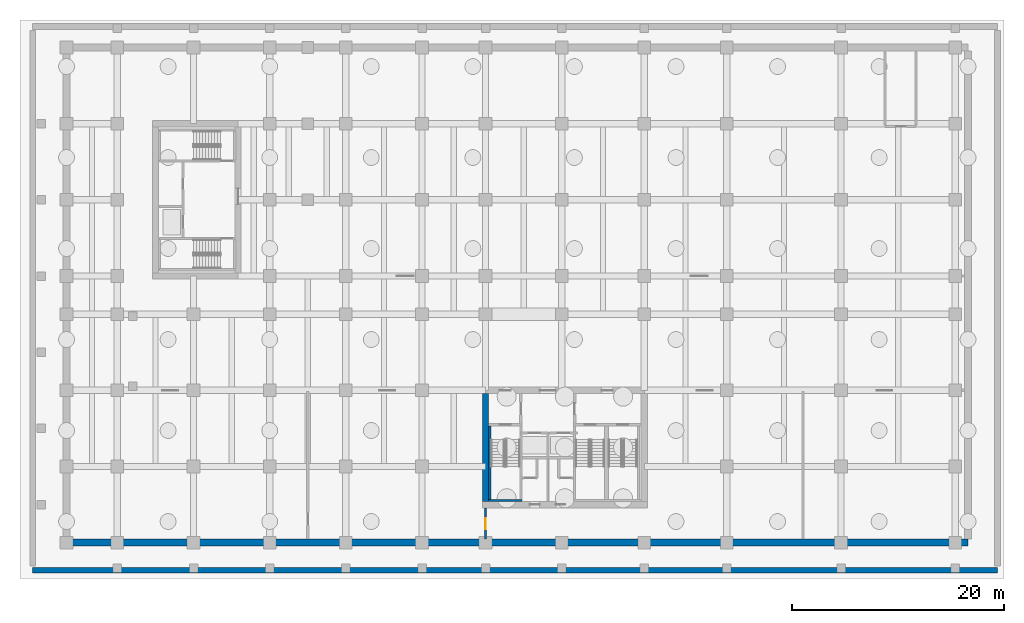
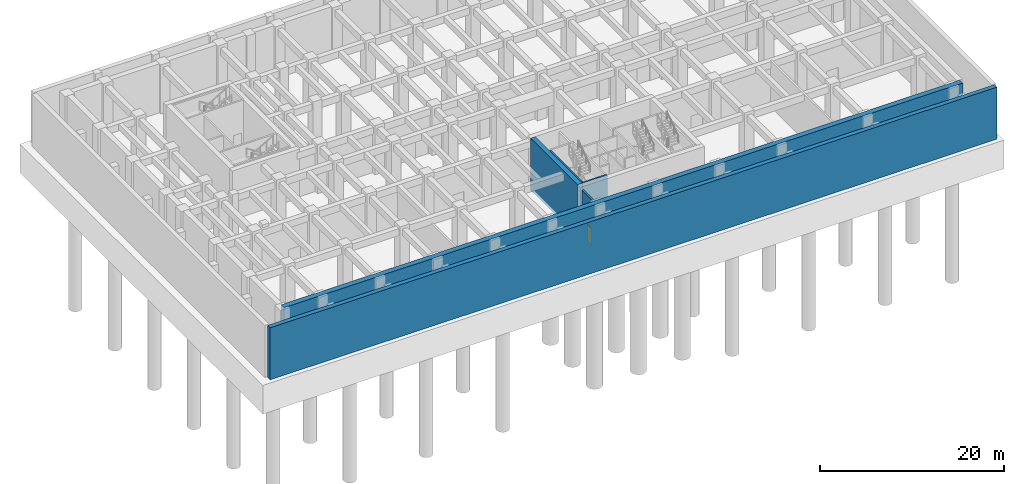
# One storey, part 5 of 13: 6 walls, 1 door, 1 opening.
"""IFC4 building model written with IfcOpenShell, lengths in metres."""

from ifc_helpers import new_model, si_unit, derived_unit, direction, frame, frame_2d, origin, place, context, subcontext, project, spatial, rectangle, extrude, source, transform, mapped, material, layer, layer_set, type_object, type_shapes, element, fill, save


model = new_model("IFC4")

# Units and contexts
model_context = context("Model", 3, precision=1e-05, world=origin(), true_north=direction((0.0, 1.0)))
body_context = subcontext(model_context, "Body", "Model", "MODEL_VIEW")
ifc_project = project(units=[si_unit("LENGTHUNIT", "METRE"), si_unit("AREAUNIT", "SQUARE_METRE"), si_unit("VOLUMEUNIT", "CUBIC_METRE"), si_unit("PLANEANGLEUNIT", "RADIAN"), si_unit("MASSUNIT", "GRAM", prefix="KILO"), si_unit("THERMODYNAMICTEMPERATUREUNIT", "KELVIN"), si_unit("POWERUNIT", "WATT"), derived_unit("THERMALTRANSMITTANCEUNIT", [(si_unit("POWERUNIT", "WATT"), 1), (si_unit("AREAUNIT", "SQUARE_METRE"), -1), (si_unit("THERMODYNAMICTEMPERATUREUNIT", "KELVIN"), -1)])], contexts=[model_context])

# Site, building, storey
site_placement = place(None, origin())
site = spatial("IfcSite", under=ifc_project, at=site_placement, CompositionType="ELEMENT")
building_placement = place(site_placement, origin())
building = spatial("IfcBuilding", under=site, at=building_placement, Name="Zahravan Archway Hotel and Residences", CompositionType="ELEMENT")
storey_placement = place(building_placement, frame((0.0, 0.0, -13.0)))
storey = spatial("IfcBuildingStorey", under=building, at=storey_placement, Name="B02", CompositionType="ELEMENT", Elevation=-13.0)

# Walls
ifc_material_1 = material(Name="Concrete C50/60", Category="concrete")
ifc_layer_1 = layer(ifc_material_1, 0.550048828125, Name="Concrete C50/60", Category="concrete")
ifc_layer_set_1 = layer_set([ifc_layer_1], Name="Concrete C50/60")
wall_type_1 = type_object("IfcWallType", Name="BW-RET-550", PredefinedType="USERDEFINED", material=ifc_layer_set_1)
wall_1_placement = place(storey_placement, frame((-8.0, -2.60009765625, -0.39990234375), z_axis=(0.0, 0.0, 1.0), x_axis=(1.0, 0.0, 0.0)))
element("IfcWall", 1, at=wall_1_placement, inside=storey, type_object=wall_type_1, Name="B02 Forecourt Foundation Wall PS", ObjectType="RETAINING", PredefinedType="USERDEFINED", context=body_context, shape_type="SweptSolid", body=[
    extrude(rectangle(XDim=91.199951171875, YDim=0.550048828125, at=frame_2d((45.60009765625, 0.0))), origin(), (0.0, 0.0, 1.0), 6.89990234375),
])
ifc_layer_2 = layer(ifc_material_1, 0.64990234375, Name="Concrete C50/60", Category="concrete")
ifc_layer_set_2 = layer_set([ifc_layer_2], Name="Concrete C50/60")
wall_type_2 = type_object("IfcWallType", Name="BW-RET-650", PredefinedType="USERDEFINED", material=ifc_layer_set_2)
wall_2_placement = place(storey_placement, frame((-4.800048828125, 0.0, -0.39990234375), z_axis=(0.0, 0.0, 1.0), x_axis=(1.0, 0.0, 0.0)))
element("IfcWall", 2, at=wall_2_placement, inside=storey, type_object=wall_type_2, Name="B02 Basement Retaining S Wall", ObjectType="RETAINING", PredefinedType="USERDEFINED", context=body_context, shape_type="SweptSolid", body=[
    extrude(rectangle(XDim=85.199951171875, YDim=0.64990234375, at=frame_2d((42.60009765625, 0.0))), origin(), (0.0, 0.0, 1.0), 6.89990234375),
])
ifc_material_2 = material(Name="Concrete C70/85", Category="concrete")
ifc_layer_3 = layer(ifc_material_2, 0.60009765625, Name="Concrete C70/85", Category="concrete")
ifc_layer_set_3 = layer_set([ifc_layer_3], Name="Concrete C70/85")
wall_type_3 = type_object("IfcWallType", Name="CW-CORE-600", PredefinedType="SHEAR", material=ifc_layer_set_3)
wall_3_placement = place(storey_placement, frame((34.800048828125, 3.89990234375, -0.39990234375), z_axis=(0.0, 0.0, 1.0), x_axis=(0.0, 1.0, 0.0)))
element("IfcWall", 3, at=wall_3_placement, inside=storey, type_object=wall_type_3, Name="B02 Core A Shear W Wall 600 mm", PredefinedType="SHEAR", context=body_context, shape_type="SweptSolid", body=[
    extrude(rectangle(XDim=10.2001953125, YDim=0.60009765625, at=frame_2d((5.10009765625, 0.0))), origin(), (0.0, 0.0, 1.0), 6.89990234375),
])

# Wall, opening, door
ifc_material_3 = material(Name="Fire-Rated Gypsum & Concrete Block", Category="concrete")
ifc_layer_4 = layer(ifc_material_3, 0.219970703125, Name="Fire-Rated Gypsum & Concrete Block", Category="concrete")
ifc_layer_set_4 = layer_set([ifc_layer_4], Name="Fire-Rated Gypsum & Concrete Block")
wall_type_4 = type_object("IfcWallType", Name="PW-COMP-220", PredefinedType="PARTITIONING", material=ifc_layer_set_4)
wall_4_placement = place(storey_placement, frame((34.800048828125, 0.3701171875, 0.0), z_axis=(0.0, 0.0, 1.0), x_axis=(0.0, 1.0, 0.0)))
wall_4 = element("IfcWall", 4, at=wall_4_placement, inside=storey, type_object=wall_type_4, Name="B02 Partition B2-SPW", PredefinedType="PARTITIONING", context=body_context, shape_type="SweptSolid", body=[
    extrude(rectangle(XDim=2.909912109375, YDim=0.219970703125, at=frame_2d((1.455078125, 0.0))), origin(), (0.0, 0.0, 1.0), 6.10009765625),
])
opening_placement = place(wall_4_placement, frame((0.905029296875, 0.0, 0.0)))
opening = element("IfcOpeningElement", 5, at=opening_placement, cuts=wall_4, Name="Opening FD-L2", PredefinedType="OPENING", context=body_context, shape_type="SweptSolid", body=[
    extrude(rectangle(XDim=1.050048828125, YDim=2.14990234375, at=frame_2d((0.52490234375, 1.074951171875))), frame((0.0, 0.1201171875, 0.0), z_axis=(0.0, -1.0, 0.0), x_axis=(1.0, 0.0, 0.0)), (0.0, 0.0, 1.0), 0.239990234375),
])
ifc_material_4 = material(Name="Fire-Rated Painted Steel", Category="steel")
door_type = type_object("IfcDoorType", Name="FD-LOBBY-1100", OperationType="NOTDEFINED", PredefinedType="DOOR", material=ifc_material_4)
shared_shape = source(origin(), body_context, "Body", "SweptSolid", [
    extrude(rectangle(XDim=1.050048828125, YDim=2.14990234375, at=frame_2d((0.52490234375, 1.074951171875))), frame((0.0, 0.02490234375, 0.0), z_axis=(0.0, -1.0, 0.0), x_axis=(1.0, 0.0, 0.0)), (0.0, 0.0, 1.0), 0.050048828125),
])
type_shapes(door_type, [shared_shape])
door_placement = place(opening_placement, origin())
door = element("IfcDoor", 6, at=door_placement, inside=storey, type_object=door_type, Name="B02 South Riser Passage Door", OperationType="SINGLE_SWING_RIGHT", OverallHeight=2.14990234375, OverallWidth=1.050048828125, PredefinedType="DOOR", context=body_context, shape_type="MappedRepresentation", body=[
    mapped(shared_shape, transform((0.0, 0.0, 0.0), scale=1.0)),
])
fill(opening, door)

# Walls
ifc_layer_5 = layer(ifc_material_1, 0.199951171875, Name="Concrete C50/60", Category="concrete")
ifc_layer_set_5 = layer_set([ifc_layer_5], Name="Concrete C50/60")
wall_type_5 = type_object("IfcWallType", Name="SW-STAIR-200", PredefinedType="SHEAR", material=ifc_layer_set_5)
wall_5_placement = place(storey_placement, frame((35.10009765625, 4.0, -0.39990234375), z_axis=(0.0, 0.0, 1.0), x_axis=(1.0, 0.0, 0.0)))
element("IfcWall", 7, at=wall_5_placement, inside=storey, type_object=wall_type_5, Name="B02 Stairwell RC Wall CA-SA1S", PredefinedType="SHEAR", context=body_context, shape_type="SweptSolid", body=[
    extrude(rectangle(XDim=3.139892578125, YDim=0.199951171875, at=frame_2d((1.56982421875, 0.0))), origin(), (0.0, 0.0, 1.0), 6.89990234375),
])
wall_6_placement = place(storey_placement, frame((35.199951171875, 4.10009765625, -0.39990234375), z_axis=(0.0, 0.0, 1.0), x_axis=(0.0, 1.0, 0.0)))
element("IfcWall", 8, at=wall_6_placement, inside=storey, type_object=wall_type_5, Name="B02 Stairwell RC Wall CA-SA1W", PredefinedType="SHEAR", context=body_context, shape_type="SweptSolid", body=[
    extrude(rectangle(XDim=6.949951171875, YDim=0.199951171875, at=frame_2d((3.47509765625, 0.0))), origin(), (0.0, 0.0, 1.0), 6.89990234375),
])

save(model, "model.ifc")
